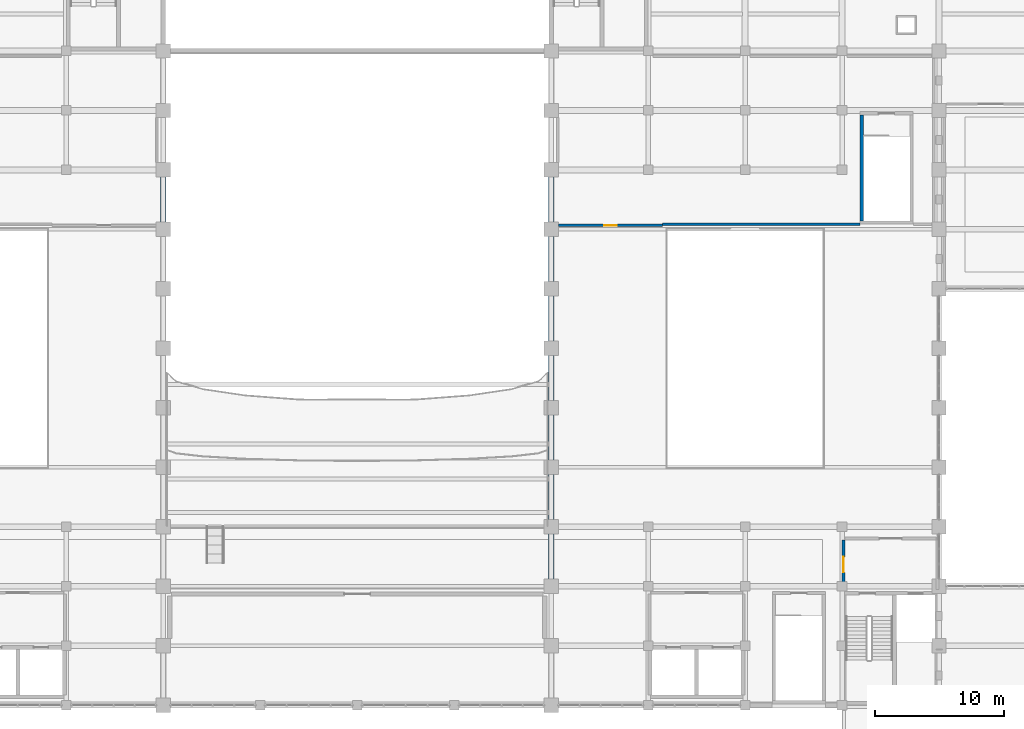
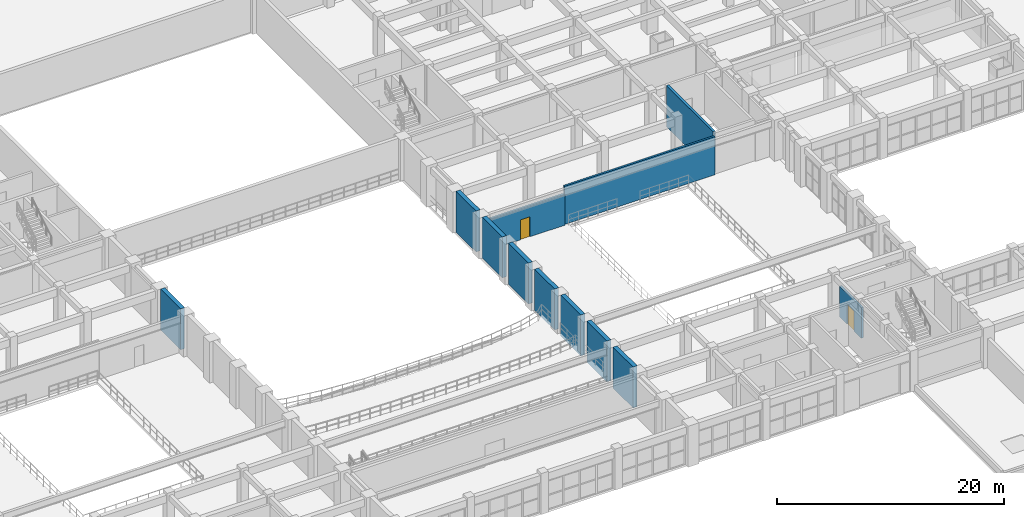
# One storey, part 71 of 90: 12 walls, 2 doors, 2 openings.
"""IFC4 building model written with IfcOpenShell, lengths in metres."""

from ifc_helpers import new_model, si_unit, direction, frame, frame_2d, origin, place, context, subcontext, project, spatial, rectangle, extrude, material, layer, layer_set, type_object, element, fill, save


model = new_model("IFC4")

# Units and contexts
model_context = context("Model", 3, precision=1e-05, world=origin(), true_north=direction((0.0, 1.0)))
body_context = subcontext(model_context, "Body", "Model", "MODEL_VIEW")
ifc_project = project(units=[si_unit("LENGTHUNIT", "METRE"), si_unit("AREAUNIT", "SQUARE_METRE"), si_unit("VOLUMEUNIT", "CUBIC_METRE"), si_unit("PLANEANGLEUNIT", "RADIAN"), si_unit("MASSUNIT", "GRAM", prefix="KILO")], contexts=[model_context])

# Site, building, storey
site_placement = place(None, origin())
site = spatial("IfcSite", under=ifc_project, at=site_placement, CompositionType="ELEMENT")
building_placement = place(site_placement, origin())
building = spatial("IfcBuilding", under=site, at=building_placement, Name="Muzn Square Opera House", CompositionType="ELEMENT")
storey_placement = place(building_placement, frame((0.0, 0.0, 9.800048828125)))
storey = spatial("IfcBuildingStorey", under=building, at=storey_placement, Name="L02", CompositionType="ELEMENT", Elevation=9.800048828125)

# Walls
ifc_material_1 = material(Name="Concrete C45/55", Category="concrete")
ifc_layer_1 = layer(ifc_material_1, 0.419921875, Name="Concrete C45/55", Category="concrete")
ifc_layer_set_1 = layer_set([ifc_layer_1], Name="Concrete C45/55")
wall_type_1 = type_object("IfcWallType", Name="Auditorium Acoustic Shear Wall 420mm", PredefinedType="SHEAR", material=ifc_layer_set_1)
for number, where, z_axis, x_axis, name in (
    (1, (103.0, 31.739990234375, 0.0), (0.0, 0.0, 1.0), (0.0, 1.0, 0.0), "Auditorium Acoustic Shear Wall AUDW-L02-E02"),
    (2, (103.0, 36.340087890625, 0.0), (0.0, 0.0, 1.0), (0.0, 1.0, 0.0), "Auditorium Acoustic Shear Wall AUDW-L02-E03"),
    (3, (103.0, 40.93994140625, 0.0), (0.0, 0.0, 1.0), (0.0, 1.0, 0.0), "Auditorium Acoustic Shear Wall AUDW-L02-E04"),
    (4, (103.0, 45.5400390625, 0.0), (0.0, 0.0, 1.0), (0.0, 1.0, 0.0), "Auditorium Acoustic Shear Wall AUDW-L02-E05"),
    (5, (103.0, 50.139892578125, 0.0), (0.0, 0.0, 1.0), (0.0, 1.0, 0.0), "Auditorium Acoustic Shear Wall AUDW-L02-E06"),
    (6, (103.0, 54.739990234375, 0.0), (0.0, 0.0, 1.0), (0.0, 1.0, 0.0), "Auditorium Acoustic Shear Wall AUDW-L02-E07"),
    (7, (73.0, 59.340087890625, 0.0), (0.0, 0.0, 1.0), (0.0, 1.0, 0.0), "Auditorium Acoustic Shear Wall AUDW-L02-W08"),
    (8, (103.0, 59.340087890625, 0.0), (0.0, 0.0, 1.0), (0.0, 1.0, 0.0), "Auditorium Acoustic Shear Wall AUDW-L02-E08"),
):
    element("IfcWall", number, at=place(storey_placement, frame(where, z_axis=z_axis, x_axis=x_axis)), inside=storey, type_object=wall_type_1, Name=name, PredefinedType="SHEAR", context=body_context, shape_type="SweptSolid", body=[
        extrude(rectangle(XDim=3.52001953125, YDim=0.419921875, at=frame_2d((1.760009765625, 0.0))), origin(), (0.0, 0.0, 1.0), 4.39990234375),
    ])
ifc_layer_2 = layer(ifc_material_1, 0.25, Name="Concrete C45/55", Category="concrete")
ifc_layer_set_2 = layer_set([ifc_layer_2], Name="Concrete C45/55")
wall_type_2 = type_object("IfcWallType", Name="Aux Stair Enclosure Wall 250mm", PredefinedType="SHEAR", material=ifc_layer_set_2)
wall_1_placement = place(storey_placement, frame((127.02490234375, 59.449951171875, 0.0), z_axis=(0.0, 0.0, 1.0), x_axis=(0.0, 1.0, 0.0)))
element("IfcWall", 9, at=wall_1_placement, inside=storey, type_object=wall_type_2, Name="Escape Stair ST-10 Wall W L02", PredefinedType="SHEAR", context=body_context, shape_type="SweptSolid", body=[
    extrude(rectangle(XDim=8.199951171875, YDim=0.25, at=frame_2d((4.10009765625, 0.0))), origin(), (0.0, 0.0, 1.0), 4.39990234375),
])

# Wall, opening, door
ifc_material_2 = material(Name="Acoustic gypsum stud partition", Category="gypsum")
ifc_layer_3 = layer(ifc_material_2, 0.199951171875, Name="Acoustic gypsum stud partition", Category="gypsum")
ifc_layer_set_3 = layer_set([ifc_layer_3], Name="Acoustic gypsum stud partition")
wall_type_3 = type_object("IfcWallType", Name="Corridor Rated Partition 200mm", PredefinedType="PARTITIONING", material=ifc_layer_set_3)
wall_2_placement = place(storey_placement, frame((103.570068359375, 59.10009765625, 0.0), z_axis=(0.0, 0.0, 1.0), x_axis=(1.0, 0.0, 0.0)))
wall_2 = element("IfcWall", 10, at=wall_2_placement, inside=storey, type_object=wall_type_3, Name="Interior Partition PW-L02-0256", PredefinedType="PARTITIONING", context=body_context, shape_type="SweptSolid", body=[
    extrude(rectangle(XDim=8.030029296875, YDim=0.199951171875, at=frame_2d((4.01513671875, 0.0))), origin(), (0.0, 0.0, 1.0), 3.346923828125),
])
opening_1_placement = place(wall_2_placement, frame((3.5400390625, 0.0, 0.0)))
opening_1 = element("IfcOpeningElement", 11, at=opening_1_placement, cuts=wall_2, Name="Opening DR-OF95", PredefinedType="OPENING", context=body_context, shape_type="SweptSolid", body=[
    extrude(rectangle(XDim=0.949951171875, YDim=2.14990234375, at=frame_2d((0.47509765625, 1.074951171875))), frame((0.0, 0.10986328125, 0.0), z_axis=(0.0, -1.0, 0.0), x_axis=(1.0, 0.0, 0.0)), (0.0, 0.0, 1.0), 0.219970703125),
])
ifc_material_3 = material(Name="Acoustic hardwood leaf", Category="wood")
door_type_1 = type_object("IfcDoorType", Name="Office Room Door 950x2150", OperationType="NOTDEFINED", PredefinedType="DOOR", material=ifc_material_3)
door_1_placement = place(opening_1_placement, origin())
door_1 = element("IfcDoor", 12, at=door_1_placement, inside=storey, type_object=door_type_1, Name="East Upper Promenade Salon Door DR-L02-0072", OperationType="SINGLE_SWING_RIGHT", OverallHeight=2.14990234375, OverallWidth=0.949951171875, PredefinedType="DOOR", context=body_context, shape_type="SweptSolid", body=[
    extrude(rectangle(XDim=0.949951171875, YDim=2.14990234375, at=frame_2d((0.47509765625, 1.074951171875))), frame((0.0, 0.02490234375, 0.0), z_axis=(0.0, -1.0, 0.0), x_axis=(1.0, 0.0, 0.0)), (0.0, 0.0, 1.0), 0.050048828125),
])
fill(opening_1, door_1)

# Wall
wall_3_placement = place(storey_placement, frame((111.6201171875, 59.199951171875, 0.0), z_axis=(0.0, 0.0, 1.0), x_axis=(1.0, 0.0, 0.0)))
element("IfcWall", 13, at=wall_3_placement, inside=storey, type_object=wall_type_3, Name="Room Enclosure Partition PW-L02-0305", PredefinedType="PARTITIONING", context=body_context, shape_type="SweptSolid", body=[
    extrude(rectangle(XDim=15.259765625, YDim=0.199951171875, at=frame_2d((7.6298828125, 0.0))), origin(), (0.0, 0.0, 1.0), 4.099853515625),
])

# Wall, opening, door
ifc_material_4 = material(Name="Concrete C40/50", Category="concrete")
ifc_layer_4 = layer(ifc_material_4, 0.219970703125, Name="Concrete C40/50", Category="concrete")
ifc_layer_set_4 = layer_set([ifc_layer_4], Name="Concrete C40/50")
wall_type_4 = type_object("IfcWallType", Name="Lift Lobby Wall 220mm", PredefinedType="SOLIDWALL", material=ifc_layer_set_4)
wall_4_placement = place(storey_placement, frame((125.610107421875, 30.949951171875, 0.0), z_axis=(0.0, 0.0, 1.0), x_axis=(0.0, 1.0, 0.0)))
wall_4 = element("IfcWall", 14, at=wall_4_placement, inside=storey, type_object=wall_type_4, Name="Lobby C4 Side Wall W L02", PredefinedType="SOLIDWALL", context=body_context, shape_type="SweptSolid", body=[
    extrude(rectangle(XDim=3.830078125, YDim=0.219970703125, at=frame_2d((1.9150390625, 0.0))), origin(), (0.0, 0.0, 1.0), 3.300048828125),
])
opening_2_placement = place(wall_4_placement, frame((1.31494140625, 0.0, 0.0)))
opening_2 = element("IfcOpeningElement", 15, at=opening_2_placement, cuts=wall_4, Name="Opening DR-ST12", PredefinedType="OPENING", context=body_context, shape_type="SweptSolid", body=[
    extrude(rectangle(XDim=1.199951171875, YDim=2.14990234375, at=frame_2d((0.60009765625, 1.074951171875))), frame((0.0, 0.119873046875, 0.0), z_axis=(0.0, -1.0, 0.0), x_axis=(1.0, 0.0, 0.0)), (0.0, 0.0, 1.0), 0.239990234375),
])
ifc_material_5 = material(Name="Galvanised painted steel leaf", Category="metal")
door_type_2 = type_object("IfcDoorType", Name="Core Stair Fire Door 1200x2150", OperationType="NOTDEFINED", PredefinedType="DOOR", material=ifc_material_5)
door_2_placement = place(opening_2_placement, origin())
door_2 = element("IfcDoor", 16, at=door_2_placement, inside=storey, type_object=door_type_2, Name="Lobby C4 Side Door W L02", OperationType="SINGLE_SWING_LEFT", OverallHeight=2.14990234375, OverallWidth=1.199951171875, PredefinedType="DOOR", context=body_context, shape_type="SweptSolid", body=[
    extrude(rectangle(XDim=1.199951171875, YDim=2.14990234375, at=frame_2d((0.60009765625, 1.074951171875))), frame((0.0, 0.02490234375, 0.0), z_axis=(0.0, -1.0, 0.0), x_axis=(1.0, 0.0, 0.0)), (0.0, 0.0, 1.0), 0.050048828125),
])
fill(opening_2, door_2)

save(model, "model.ifc")
